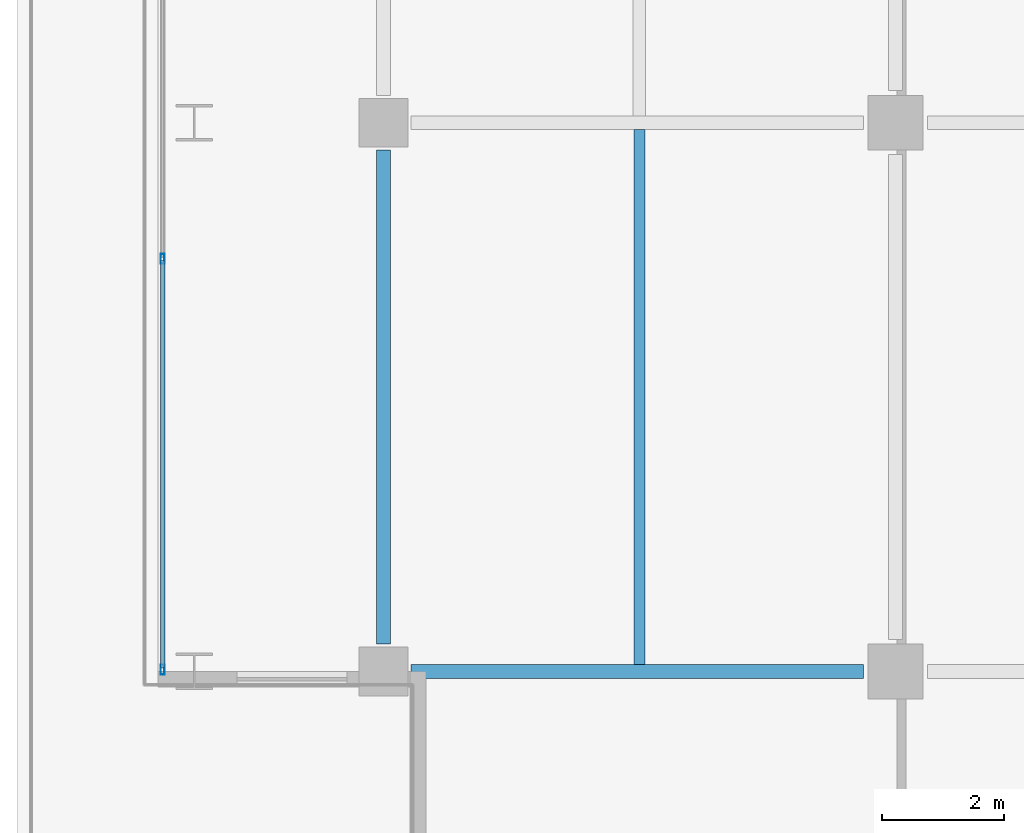
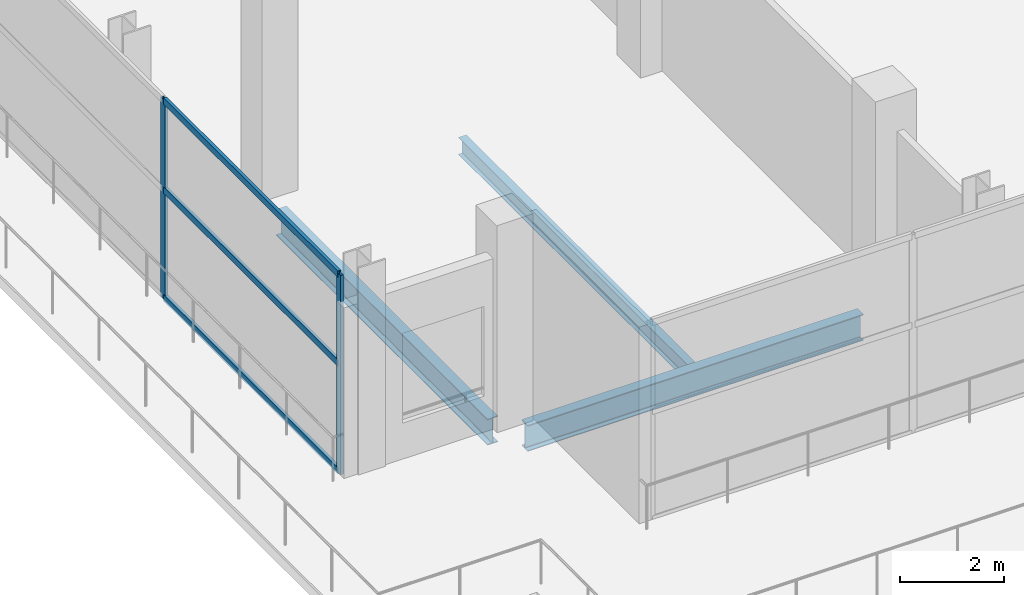
# One storey, part 3 of 31: 5 members, 3 beams, 1 element without a shape of its own.
"""IFC4 building model written with IfcOpenShell, lengths in metres."""

import ifcopenshell
import ifcopenshell.guid

model = None  # the IFC model being written
_history = None  # IfcOwnerHistory: only IFC2X3 demands one
_inside = {}  # id of a spatial element -> (the spatial element, [elements in it])
_under = {}  # id of a project, library or spatial element -> (it, [spatial elements below it])
_declared = {}  # id of a project -> (the project, [libraries it declares])
_typed = {}  # id of a type object -> (the type object, [elements of that type])
_made_of = {}  # id of a material, layer set ... -> (it, [elements and type objects made of it])


def new_model(schema):
    """Start an empty IFC model of exactly this schema.

    Asked for "IFC4X3", IfcOpenShell would pick the latest addendum, in which some entities
    have other attributes; the version numbers below select the first issue.
    IFC2X3 requires an IfcOwnerHistory on every rooted entity: one is made here for all.
    """
    global model, _history
    if schema == "IFC4X3":
        model = ifcopenshell.file(schema_version=(4, 3, 0, 0))
    else:
        model = ifcopenshell.file(schema=schema)
    _inside.clear()
    _under.clear()
    _declared.clear()
    _typed.clear()
    _made_of.clear()
    _history = None
    if model.schema == "IFC2X3":
        org = make("IfcOrganization", Name="unknown")
        user = make(
            "IfcPersonAndOrganization",
            ThePerson=make("IfcPerson", FamilyName="unknown"),
            TheOrganization=org,
        )
        app = make(
            "IfcApplication",
            ApplicationDeveloper=org,
            Version="unknown",
            ApplicationFullName="unknown",
            ApplicationIdentifier="unknown",
        )
        _history = make(
            "IfcOwnerHistory",
            OwningUser=user,
            OwningApplication=app,
            ChangeAction="ADDED",
            CreationDate=0,
        )
    return model


def make(cls, **values):
    """One entity of the class cls with the attributes given. An attribute that is None is left unset."""
    return model.create_entity(
        cls, **{name: value for name, value in values.items() if value is not None}
    )


def rooted(cls, **values):
    """An entity with a GlobalId (a new one), such as an element, a storey or a relation."""
    return make(cls, GlobalId=ifcopenshell.guid.new(), OwnerHistory=_history, **values)


def si_unit(unit_type, name, prefix=None):
    """IfcSIUnit, for example si_unit("LENGTHUNIT", "METRE", prefix="MILLI")."""
    return make("IfcSIUnit", UnitType=unit_type, Prefix=prefix, Name=name)


def assignment(units):
    """IfcUnitAssignment: the units of a project."""
    return None if units is None else make("IfcUnitAssignment", Units=units)


def point(xyz):
    """IfcCartesianPoint."""
    return None if xyz is None else make("IfcCartesianPoint", Coordinates=xyz)


def direction(xyz):
    """IfcDirection."""
    return None if xyz is None else make("IfcDirection", DirectionRatios=xyz)


def frame(location, z_axis=None, x_axis=None):
    """IfcAxis2Placement3D, a coordinate frame: its origin and axes. An axis left out is left unset."""
    return make(
        "IfcAxis2Placement3D",
        Location=point(location),
        Axis=direction(z_axis),
        RefDirection=direction(x_axis),
    )


def frame_2d(location, x_axis=None):
    """IfcAxis2Placement2D, a coordinate frame in the plane: its origin and x axis."""
    return make(
        "IfcAxis2Placement2D", Location=point(location), RefDirection=direction(x_axis)
    )


def origin():
    """The frame at (0, 0, 0) with its axes left unset."""
    return frame((0.0, 0.0, 0.0))


def origin_2d():
    """The frame at (0, 0) in the plane with its x axis left unset."""
    return frame_2d((0.0, 0.0))


def place(relative_to, where):
    """IfcLocalPlacement: puts the frame where relative to a parent placement (None: the world)."""
    return make(
        "IfcLocalPlacement", PlacementRelTo=relative_to, RelativePlacement=where
    )


def context(
    kind, dimensions, precision=None, world=None, true_north=None, identifier=None
):
    """IfcGeometricRepresentationContext, for example the 3D "Model" context."""
    return make(
        "IfcGeometricRepresentationContext",
        ContextIdentifier=identifier,
        ContextType=kind,
        CoordinateSpaceDimension=dimensions,
        Precision=precision,
        WorldCoordinateSystem=world,
        TrueNorth=true_north,
    )


def subcontext(parent, identifier, kind, view, scale=None):
    """IfcGeometricRepresentationSubContext, for example "Body" below "Model"."""
    return make(
        "IfcGeometricRepresentationSubContext",
        ContextIdentifier=identifier,
        ContextType=kind,
        ParentContext=parent,
        TargetScale=scale,
        TargetView=view,
    )


def project(units=None, contexts=None):
    """IfcProject with its units and contexts."""
    return rooted(
        "IfcProject",
        Name="project",
        RepresentationContexts=contexts,
        UnitsInContext=assignment(units),
    )


def spatial(cls, under=None, at=None, **own):
    """A site, building, storey or space (cls), placed at a placement, below another one or the project."""
    s = rooted(cls, ObjectPlacement=at, **own)
    if under is not None:
        _under.setdefault(under.id(), (under, []))[1].append(s)
    return s


def profile(cls, at=None, kind="AREA", **sizes):
    """A parametric profile (cls). Its sizes go by their IFC names, for example OverallWidth=200.0."""
    return make(cls, ProfileType=kind, Position=at, **sizes)


def hollow_rectangle(**sizes):
    """IfcRectangleHollowProfileDef."""
    return profile("IfcRectangleHollowProfileDef", **sizes)


def i_section(**sizes):
    """IfcIShapeProfileDef."""
    return profile("IfcIShapeProfileDef", **sizes)


def extrude(swept, where, along, depth):
    """IfcExtrudedAreaSolid: the profile swept, set in the frame where, extruded along a direction by depth."""
    return make(
        "IfcExtrudedAreaSolid",
        SweptArea=swept,
        Position=where,
        ExtrudedDirection=direction(along),
        Depth=depth,
    )


def shape(context_of_items, identifier, shape_type, items):
    """IfcShapeRepresentation: the items that make up one representation, for example the "Body"."""
    return make(
        "IfcShapeRepresentation",
        ContextOfItems=context_of_items,
        RepresentationIdentifier=identifier,
        RepresentationType=shape_type,
        Items=items,
    )


def material(Name=None, Category=None):
    """IfcMaterial."""
    return make("IfcMaterial", Name=Name, Category=Category)


def layer(
    of_material, thickness, ventilated=None, Name=None, Category=None, Priority=None
):
    """IfcMaterialLayer: one layer of a wall or slab, of a material (None: an air gap)."""
    return make(
        "IfcMaterialLayer",
        Material=of_material,
        LayerThickness=thickness,
        IsVentilated=ventilated,
        Name=Name,
        Category=Category,
        Priority=Priority,
    )


def layer_set(layers, Name=None):
    """IfcMaterialLayerSet."""
    return make("IfcMaterialLayerSet", MaterialLayers=layers, LayerSetName=Name)


def material_profile(
    of_material, cross_section, Name=None, Category=None, Priority=None
):
    """IfcMaterialProfile: a cross section and its material."""
    return make(
        "IfcMaterialProfile",
        Name=Name,
        Material=of_material,
        Profile=cross_section,
        Priority=Priority,
        Category=Category,
    )


def profile_set(profiles, Name=None, composite=None):
    """IfcMaterialProfileSet."""
    return make(
        "IfcMaterialProfileSet",
        Name=Name,
        MaterialProfiles=profiles,
        CompositeProfile=composite,
    )


def made_of(thing, what):
    """Note that an element or type object is made of a material, layer set ...; save() writes the relation."""
    if what is not None:
        _made_of.setdefault(what.id(), (what, []))[1].append(thing)
    return thing


def type_object(cls, material=None, **own):
    """A type object (cls), such as IfcWallType, which elements share."""
    return made_of(rooted(cls, **own), material)


def element(
    cls,
    number,
    at=None,
    inside=None,
    cuts=None,
    type_object=None,
    material=None,
    context=None,
    identifier="Body",
    shape_type=None,
    held_by="IfcProductDefinitionShape",
    body=None,
    shapes=None,
    **own,
):
    """One element of the class cls, such as IfcWall. Its Tag is "e" and its number.

    at: its placement. inside: the storey or other place that contains it. cuts: it is an
    opening in that element (IfcRelVoidsElement). A single representation is given by context,
    identifier, shape_type and body (its items); several are given by shapes. held_by: the class
    of the entity that holds the representations. save() writes the other relations.
    """
    e = rooted(cls, Tag="e%d" % number, ObjectPlacement=at, **own)
    if body is not None:
        shapes = [shape(context, identifier, shape_type, body)]
    if shapes is not None:
        e.Representation = make(held_by, Representations=shapes)
    if inside is not None:
        _inside.setdefault(inside.id(), (inside, []))[1].append(e)
    if cuts is not None:
        rooted(
            "IfcRelVoidsElement", RelatingBuildingElement=cuts, RelatedOpeningElement=e
        )
    if type_object is not None:
        _typed.setdefault(type_object.id(), (type_object, []))[1].append(e)
    return made_of(e, material)


def aggregate(whole, parts):
    """IfcRelAggregates: a whole, such as a stair, and the parts it consists of."""
    return rooted("IfcRelAggregates", RelatingObject=whole, RelatedObjects=parts)


def save(model, path):
    """Write the relations noted so far, then the file.

    IfcRelAggregates (storeys below a building ...), IfcRelContainedInSpatialStructure (elements
    in a storey), IfcRelDefinesByType, IfcRelAssociatesMaterial and IfcRelDeclares: one each for
    every whole, place, type object, material and project.
    """
    for whole, parts in _under.values():
        aggregate(whole, parts)
    for where, things in _inside.values():
        rooted(
            "IfcRelContainedInSpatialStructure",
            RelatedElements=things,
            RelatingStructure=where,
        )
    for kind, things in _typed.values():
        rooted("IfcRelDefinesByType", RelatedObjects=things, RelatingType=kind)
    for what, things in _made_of.values():
        rooted("IfcRelAssociatesMaterial", RelatedObjects=things, RelatingMaterial=what)
    for by, libraries in _declared.values():
        rooted("IfcRelDeclares", RelatingContext=by, RelatedDefinitions=libraries)
    model.write(path)


model = new_model("IFC4")

# Units and contexts
model_context = context("Model", 3, precision=1e-05, world=origin(), true_north=direction((0.0, 1.0)))
body_context = subcontext(model_context, "Body", "Model", "MODEL_VIEW")
ifc_project = project(units=[si_unit("LENGTHUNIT", "METRE"), si_unit("AREAUNIT", "SQUARE_METRE"), si_unit("VOLUMEUNIT", "CUBIC_METRE"), si_unit("PLANEANGLEUNIT", "RADIAN"), si_unit("MASSUNIT", "GRAM", prefix="KILO")], contexts=[model_context])

# Site, building, storey
site_placement = place(None, origin())
site = spatial("IfcSite", under=ifc_project, at=site_placement, CompositionType="ELEMENT")
building_placement = place(site_placement, origin())
building = spatial("IfcBuilding", under=site, at=building_placement, Name="Maruvema Waterfront Hotel and Observation Tower", CompositionType="ELEMENT")
storey_placement = place(building_placement, frame((0.0, 0.0, 122.5)))
storey = spatial("IfcBuildingStorey", under=building, at=storey_placement, Name="L29", CompositionType="ELEMENT", Elevation=122.5)

# Curtain wall, members
ifc_material_1 = material(Name="Anodised bronze aluminium and solar-control low-E IGU", Category="aluminium")
ifc_layer = layer(ifc_material_1, 0.159912109375, Name="Zone 2 Amber Inner Thermal Curtain Wall System CW-03")
ifc_layer_set = layer_set([ifc_layer], Name="Anodised bronze aluminium and solar-control low-E IGU")
curtain_wall_type = type_object("IfcCurtainWallType", Name="Zone 2 Amber Inner Thermal Curtain Wall System CW-03", PredefinedType="USERDEFINED", material=ifc_layer_set)
curtain_wall_placement = place(storey_placement, origin())
curtain_wall = element("IfcCurtainWall", 1, at=curtain_wall_placement, inside=storey, type_object=curtain_wall_type, Name="L29 Curtain Wall CW-L29-W", ObjectType="UNITISED CURTAIN WALL", PredefinedType="USERDEFINED")
ifc_material_2 = material(Name="Anodised architectural bronze aluminium", Category="aluminium")
ifc_material_profile_1 = material_profile(ifc_material_2, hollow_rectangle(XDim=0.070068359375, YDim=0.14990234375, WallThickness=0.00390625, at=origin_2d()), Name="ALU-T70x150")
ifc_profile_set_1 = profile_set([ifc_material_profile_1], Name="Anodised architectural bronze aluminium")
member_type_1 = type_object("IfcMemberType", Name="Curtain Wall Horizontal Transom ALU-T70x150", PredefinedType="USERDEFINED", material=ifc_profile_set_1)
member_1_placement = place(storey_placement, frame((13.179931640625, 15.736572265625, 0.030029296875), z_axis=(0.0, -1.0, 0.0), x_axis=(1.0, 0.0, 0.0)))
member_1 = element("IfcMember", 2, at=member_1_placement, type_object=member_type_1, Name="CW-03 transom 6.1", ObjectType="TRANSOM", PredefinedType="USERDEFINED", context=body_context, shape_type="SweptSolid", body=[
    extrude(hollow_rectangle(XDim=0.070068359375, YDim=0.14990234375, WallThickness=0.00390625, at=origin_2d()), origin(), (0.0, 0.0, 1.0), 6.676513671875),
])
member_2_placement = place(storey_placement, frame((13.179931640625, 15.736572265625, 2.550048828125), z_axis=(0.0, -1.0, 0.0), x_axis=(1.0, 0.0, 0.0)))
member_2 = element("IfcMember", 3, at=member_2_placement, type_object=member_type_1, Name="CW-03 transom 6.2", ObjectType="TRANSOM", PredefinedType="USERDEFINED", context=body_context, shape_type="SweptSolid", body=[
    extrude(hollow_rectangle(XDim=0.070068359375, YDim=0.14990234375, WallThickness=0.00390625, at=origin_2d()), origin(), (0.0, 0.0, 1.0), 6.676513671875),
])
member_3_placement = place(storey_placement, frame((13.179931640625, 15.736572265625, 4.6298828125), z_axis=(0.0, -1.0, 0.0), x_axis=(1.0, 0.0, 0.0)))
member_3 = element("IfcMember", 4, at=member_3_placement, type_object=member_type_1, Name="CW-03 transom 6.3", ObjectType="TRANSOM", PredefinedType="USERDEFINED", context=body_context, shape_type="SweptSolid", body=[
    extrude(hollow_rectangle(XDim=0.070068359375, YDim=0.14990234375, WallThickness=0.00390625, at=origin_2d()), origin(), (0.0, 0.0, 1.0), 6.676513671875),
])
ifc_material_3 = material(Name="Anodised architectural bronze aluminium", Category="aluminium")
ifc_material_profile_2 = material_profile(ifc_material_3, hollow_rectangle(XDim=0.06494140625, YDim=0.1650390625, WallThickness=0.00390625, at=origin_2d()), Name="ALU-M65x165")
ifc_profile_set_2 = profile_set([ifc_material_profile_2], Name="Anodised architectural bronze aluminium")
member_type_2 = type_object("IfcMemberType", Name="Curtain Wall Primary Mullion ALU-M65x165", PredefinedType="MULLION", material=ifc_profile_set_2)
member_4_placement = place(storey_placement, frame((13.179931640625, 15.7666015625, 0.0), z_axis=(0.0, 0.0, 1.0), x_axis=(1.0, 0.0, 0.0)))
member_4 = element("IfcMember", 5, at=member_4_placement, type_object=member_type_2, Name="CW-03 mullion 6", PredefinedType="MULLION", context=body_context, shape_type="SweptSolid", body=[
    extrude(hollow_rectangle(XDim=0.06494140625, YDim=0.1650390625, WallThickness=0.00390625, at=origin_2d()), origin(), (0.0, 0.0, 1.0), 4.659912109375),
])
member_5_placement = place(storey_placement, frame((13.179931640625, 9.030029296875, 0.0), z_axis=(0.0, 0.0, 1.0), x_axis=(1.0, 0.0, 0.0)))
member_5 = element("IfcMember", 6, at=member_5_placement, type_object=member_type_2, Name="CW-03 mullion 7", PredefinedType="MULLION", context=body_context, shape_type="SweptSolid", body=[
    extrude(hollow_rectangle(XDim=0.06494140625, YDim=0.1650390625, WallThickness=0.00390625, at=origin_2d()), origin(), (0.0, 0.0, 1.0), 4.659912109375),
])
aggregate(curtain_wall, [member_4, member_5, member_1, member_2, member_3])

# Beams
ifc_material_4 = material(Name="Steel ASTM A572 Grade 50", Category="steel")
ifc_material_profile_3 = material_profile(ifc_material_4, i_section(OverallWidth=0.22900390625, OverallDepth=0.612060546875, WebThickness=0.011962890625, FlangeThickness=0.01953125, FilletRadius=0.01806640625, at=origin_2d()), Name="W610x125.0")
ifc_profile_set_3 = profile_set([ifc_material_profile_3], Name="Steel ASTM A572 Grade 50")
beam_type_1 = type_object("IfcBeamType", Name="Primary Floor Girder W610x125.0", PredefinedType="BEAM", material=ifc_profile_set_3)
beam_1_placement = place(storey_placement, frame((17.25, 9.0, -0.5458984375), z_axis=(1.0, 0.0, 0.0), x_axis=(0.0, 1.0, 0.0)))
element("IfcBeam", 7, at=beam_1_placement, inside=storey, type_object=beam_type_1, Name="L29 Floor Girder EW-01", PredefinedType="BEAM", context=body_context, shape_type="SweptSolid", body=[
    extrude(i_section(OverallWidth=0.22900390625, OverallDepth=0.612060546875, WebThickness=0.011962890625, FlangeThickness=0.01953125, FilletRadius=0.01806640625, at=origin_2d()), origin(), (0.0, 0.0, 1.0), 7.425048828125),
])
beam_2_placement = place(storey_placement, frame((16.800048828125, 9.449951171875, -0.5458984375), z_axis=(0.0, 1.0, 0.0), x_axis=(-1.0, 0.0, 0.0)))
element("IfcBeam", 8, at=beam_2_placement, inside=storey, type_object=beam_type_1, Name="L29 Floor Girder NS-01", PredefinedType="BEAM", context=body_context, shape_type="SweptSolid", body=[
    extrude(i_section(OverallWidth=0.22900390625, OverallDepth=0.612060546875, WebThickness=0.011962890625, FlangeThickness=0.01953125, FilletRadius=0.01806640625, at=origin_2d()), origin(), (0.0, 0.0, 1.0), 8.10009765625),
])
ifc_material_5 = material(Name="Steel ASTM A572 Grade 50", Category="steel")
ifc_material_profile_4 = material_profile(ifc_material_5, i_section(OverallWidth=0.177001953125, OverallDepth=0.403076171875, WebThickness=0.007568359375, FlangeThickness=0.010986328125, FilletRadius=0.014892578125, at=origin_2d()), Name="W410x53.0")
ifc_profile_set_4 = profile_set([ifc_material_profile_4], Name="Steel ASTM A572 Grade 50")
beam_type_2 = type_object("IfcBeamType", Name="Secondary Floor Joist W410x53.0", PredefinedType="JOIST", material=ifc_profile_set_4)
beam_3_placement = place(storey_placement, frame((21.0, 9.114501953125, -0.44140625), z_axis=(0.0, 1.0, 0.0), x_axis=(-1.0, 0.0, 0.0)))
element("IfcBeam", 9, at=beam_3_placement, inside=storey, type_object=beam_type_2, Name="L29 Secondary Floor Joist JS-01", PredefinedType="JOIST", context=body_context, shape_type="SweptSolid", body=[
    extrude(i_section(OverallWidth=0.177001953125, OverallDepth=0.403076171875, WebThickness=0.007568359375, FlangeThickness=0.010986328125, FilletRadius=0.014892578125, at=origin_2d()), origin(), (0.0, 0.0, 1.0), 8.77099609375),
])

save(model, "model.ifc")
